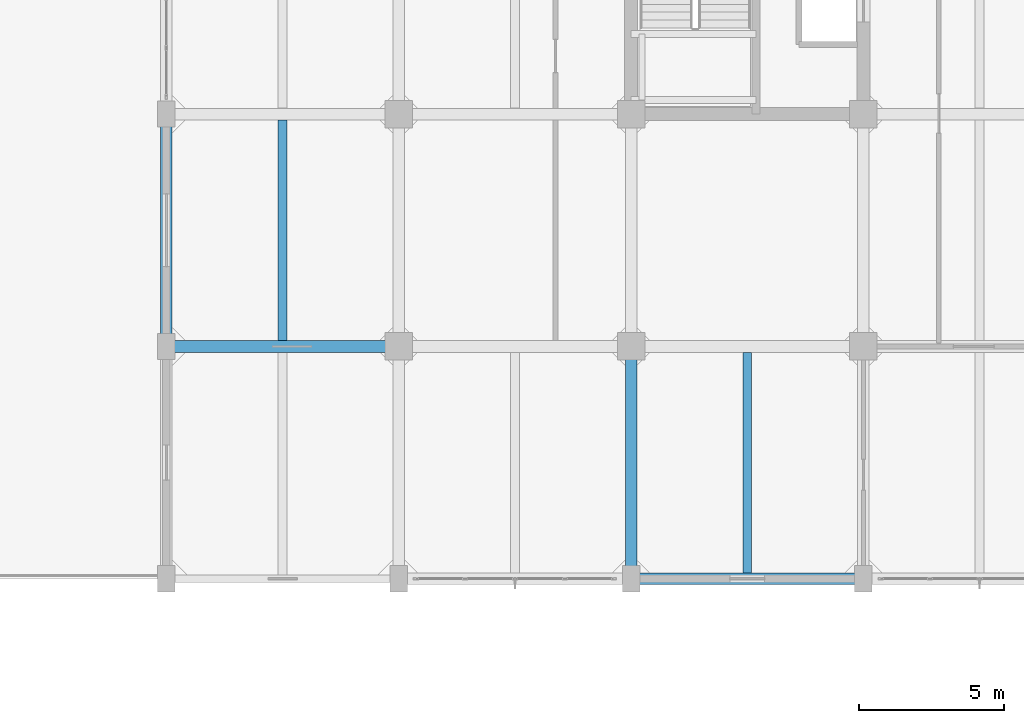
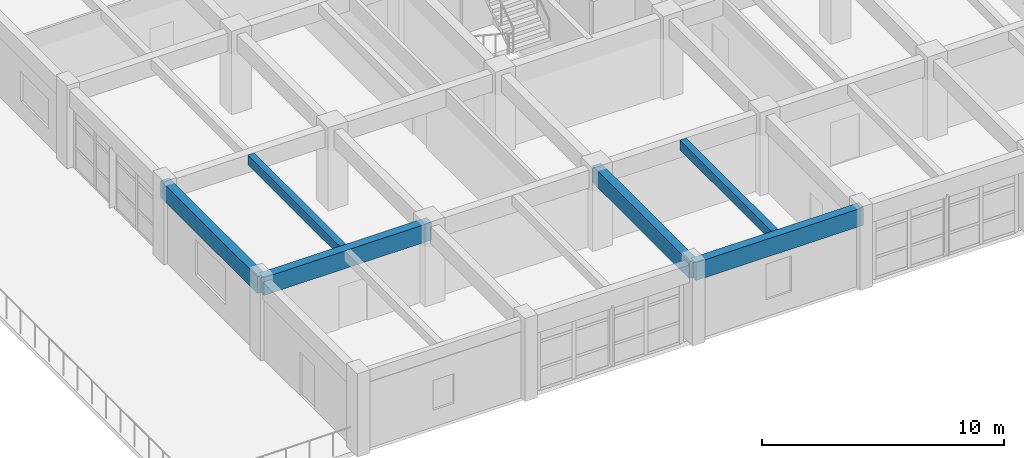
# One storey, part 3 of 35: 6 beams.
"""IFC4 building model written with IfcOpenShell, lengths in metres."""

from ifc_helpers import new_model, si_unit, direction, frame, origin, origin_2d, place, context, subcontext, project, spatial, rectangle, extrude, material, material_profile, profile_set, type_object, element, save


model = new_model("IFC4")

# Units and contexts
model_context = context("Model", 3, precision=1e-05, world=origin(), true_north=direction((0.0, 1.0)))
body_context = subcontext(model_context, "Body", "Model", "MODEL_VIEW")
ifc_project = project(units=[si_unit("LENGTHUNIT", "METRE"), si_unit("AREAUNIT", "SQUARE_METRE"), si_unit("VOLUMEUNIT", "CUBIC_METRE"), si_unit("PLANEANGLEUNIT", "RADIAN"), si_unit("MASSUNIT", "GRAM", prefix="KILO")], contexts=[model_context])

# Site, building, storey
site_placement = place(None, origin())
site = spatial("IfcSite", under=ifc_project, at=site_placement, CompositionType="ELEMENT")
building_placement = place(site_placement, origin())
building = spatial("IfcBuilding", under=site, at=building_placement, Name="Canggui Botanical Conservatory", CompositionType="ELEMENT")
storey_placement = place(building_placement, frame((0.0, 0.0, 15.0)))
storey = spatial("IfcBuildingStorey", under=building, at=storey_placement, Name="L04", CompositionType="ELEMENT", Elevation=15.0)

# Beams
ifc_material = material(Name="Concrete C35", Category="concrete")
ifc_material_profile_1 = material_profile(ifc_material, rectangle(XDim=0.300048828125, YDim=0.5, at=origin_2d()), Name="RB 300x500")
ifc_profile_set_1 = profile_set([ifc_material_profile_1], Name="Concrete C35")
beam_type_1 = type_object("IfcBeamType", Name="BM-JST02", PredefinedType="JOIST", material=ifc_profile_set_1)
for number, where, z_axis, x_axis, name in (
    (1, (142.0, 34.205078125, 3.699951171875), (0.0, 1.0, 0.0), (-1.0, 0.0, 0.0), "Secondary Floor Joist L04-1-2"),
    (2, (158.0, 26.205078125, 3.699951171875), (0.0, 1.0, 0.0), (-1.0, 0.0, 0.0), "Secondary Floor Joist L04-3-1"),
):
    element("IfcBeam", number, at=place(storey_placement, frame(where, z_axis=z_axis, x_axis=x_axis)), inside=storey, type_object=beam_type_1, Name=name, PredefinedType="JOIST", context=body_context, shape_type="SweptSolid", body=[
        extrude(rectangle(XDim=0.300048828125, YDim=0.5, at=origin_2d()), origin(), (0.0, 0.0, 1.0), 7.58984375),
    ])
ifc_material_profile_2 = material_profile(ifc_material, rectangle(XDim=0.39990234375, YDim=0.89990234375, at=origin_2d()), Name="RB 400x900")
ifc_profile_set_2 = profile_set([ifc_material_profile_2], Name="Concrete C35")
beam_type_2 = type_object("IfcBeamType", Name="BM-KL07", PredefinedType="BEAM", material=ifc_profile_set_2)
for number, where, z_axis, x_axis, name in (
    (3, (154.0, 26.0, 3.5), (1.0, 0.0, 0.0), (0.0, 1.0, 0.0), "Frame Girder L04 Y26-3"),
    (4, (138.0, 34.0, 3.5), (1.0, 0.0, 0.0), (0.0, 1.0, 0.0), "Frame Girder L04 Y34-1"),
):
    element("IfcBeam", number, at=place(storey_placement, frame(where, z_axis=z_axis, x_axis=x_axis)), inside=storey, type_object=beam_type_2, Name=name, PredefinedType="BEAM", context=body_context, shape_type="SweptSolid", body=[
        extrude(rectangle(XDim=0.39990234375, YDim=0.89990234375, at=origin_2d()), origin(), (0.0, 0.0, 1.0), 8.0),
    ])
ifc_material_profile_3 = material_profile(ifc_material, rectangle(XDim=0.39990234375, YDim=0.85009765625, at=origin_2d()), Name="RB 400x850")
ifc_profile_set_3 = profile_set([ifc_material_profile_3], Name="Concrete C35")
beam_type_3 = type_object("IfcBeamType", Name="BM-KL08", PredefinedType="BEAM", material=ifc_profile_set_3)
for number, where, z_axis, x_axis, name in (
    (5, (138.0, 34.0, 3.52490234375), (0.0, 1.0, 0.0), (-1.0, 0.0, 0.0), "Frame Girder L04 X138-2"),
    (6, (154.0, 26.0, 3.52490234375), (0.0, 1.0, 0.0), (-1.0, 0.0, 0.0), "Frame Girder L04 X154-1"),
):
    element("IfcBeam", number, at=place(storey_placement, frame(where, z_axis=z_axis, x_axis=x_axis)), inside=storey, type_object=beam_type_3, Name=name, PredefinedType="BEAM", context=body_context, shape_type="SweptSolid", body=[
        extrude(rectangle(XDim=0.39990234375, YDim=0.85009765625, at=origin_2d()), origin(), (0.0, 0.0, 1.0), 8.0),
    ])

save(model, "model.ifc")
